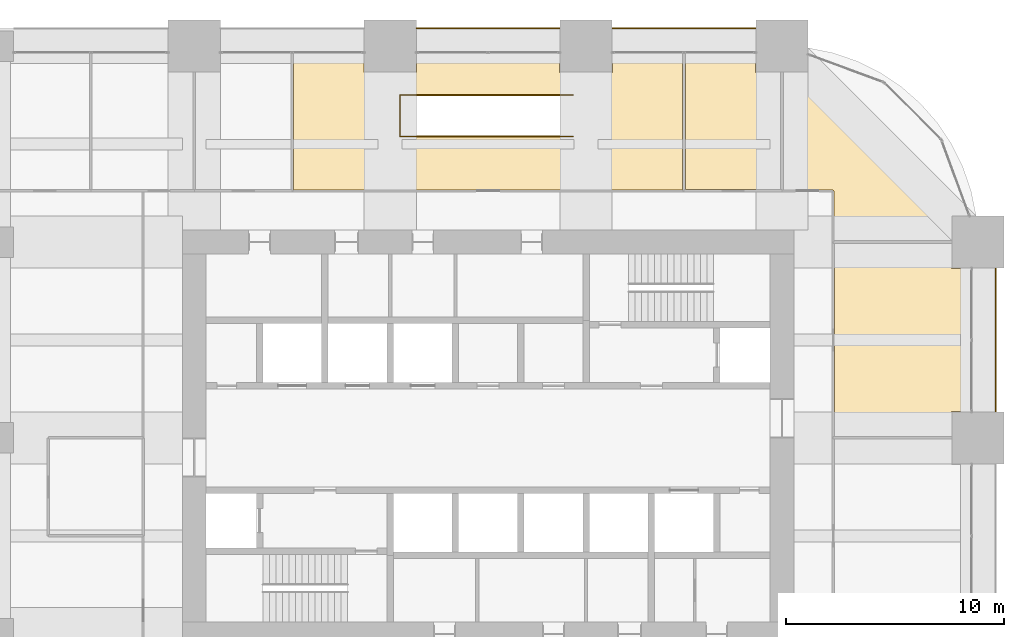
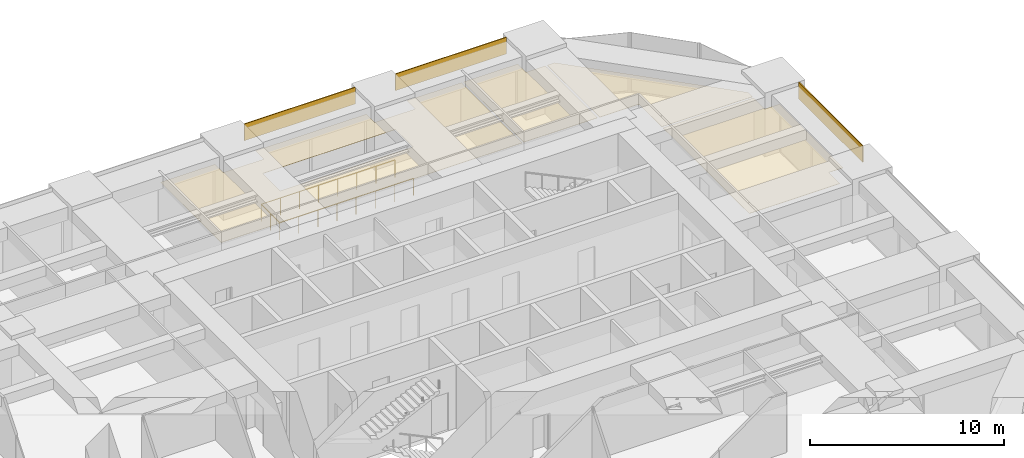
# One storey, part 35 of 35: 7 coverings, 1 railing.
"""IFC4 building model written with IfcOpenShell, lengths in metres."""

from ifc_helpers import new_model, si_unit, direction, frame, frame_2d, origin, origin_2d, place, context, subcontext, project, spatial, polyline, rectangle, circle, outline, extrude, material, layer, layer_set, type_object, element, save


model = new_model("IFC4")

# Units and contexts
model_context = context("Model", 3, precision=1e-05, world=origin(), true_north=direction((0.0, 1.0)))
body_context = subcontext(model_context, "Body", "Model", "MODEL_VIEW")
ifc_project = project(units=[si_unit("LENGTHUNIT", "METRE"), si_unit("AREAUNIT", "SQUARE_METRE"), si_unit("VOLUMEUNIT", "CUBIC_METRE"), si_unit("PLANEANGLEUNIT", "RADIAN"), si_unit("MASSUNIT", "GRAM", prefix="KILO")], contexts=[model_context])

# Site, building, storey
site_placement = place(None, origin())
site = spatial("IfcSite", under=ifc_project, at=site_placement, CompositionType="ELEMENT")
building_placement = place(site_placement, origin())
building = spatial("IfcBuilding", under=site, at=building_placement, Name="Zorevar Civic Tower", CompositionType="ELEMENT")
storey_placement = place(building_placement, frame((0.0, 0.0, 218.199951171875)))
storey = spatial("IfcBuildingStorey", under=building, at=storey_placement, Name="L53", CompositionType="ELEMENT", Elevation=218.199951171875)

# Railing
ifc_material_1 = material(Name="Laminated glass balustrade with black steel handrail", Category="steel")
railing_type = type_object("IfcRailingType", Name="Balustrade BL1 1100", PredefinedType="BALUSTRADE", material=ifc_material_1)
railing_placement = place(storey_placement, frame((35.39990234375, 40.85009765625, 0.0)))
element("IfcRailing", 1, at=railing_placement, inside=storey, type_object=railing_type, Name="Balustrade BL1 stair void L53", PredefinedType="BALUSTRADE", context=body_context, shape_type="SweptSolid", body=[
    extrude(circle(Radius=0.02392578125, at=origin_2d()), frame((0.0, 0.0, 1.076171875), z_axis=(-1.0, 0.0, 0.0), x_axis=(0.0, -1.0, 0.0)), (0.0, 0.0, 1.0), 7.949951171875),
    extrude(circle(Radius=0.02392578125, at=origin_2d()), frame((-7.949951171875, 0.0, 1.076171875), z_axis=(0.0, 1.0, 0.0), x_axis=(-1.0, 0.0, 0.0)), (0.0, 0.0, 1.0), 1.89990234375),
    extrude(circle(Radius=0.02392578125, at=origin_2d()), frame((-7.949951171875, 1.89990234375, 1.076171875), z_axis=(1.0, 0.0, 0.0), x_axis=(0.0, 1.0, 0.0)), (0.0, 0.0, 1.0), 7.949951171875),
    extrude(circle(Radius=0.02099609375, at=origin_2d()), origin(), (0.0, 0.0, 1.0), 1.052001953125),
    extrude(circle(Radius=0.02099609375, at=origin_2d()), frame((-1.1357421875, 0.0, 0.0)), (0.0, 0.0, 1.0), 1.052001953125),
    extrude(circle(Radius=0.02099609375, at=origin_2d()), frame((-2.271484375, 0.0, 0.0)), (0.0, 0.0, 1.0), 1.052001953125),
    extrude(circle(Radius=0.02099609375, at=origin_2d()), frame((-3.4072265625, 0.0, 0.0)), (0.0, 0.0, 1.0), 1.052001953125),
    extrude(circle(Radius=0.02099609375, at=origin_2d()), frame((-4.542724609375, 0.0, 0.0)), (0.0, 0.0, 1.0), 1.052001953125),
    extrude(circle(Radius=0.02099609375, at=origin_2d()), frame((-5.678466796875, 0.0, 0.0)), (0.0, 0.0, 1.0), 1.052001953125),
    extrude(circle(Radius=0.02099609375, at=origin_2d()), frame((-6.814208984375, 0.0, 0.0)), (0.0, 0.0, 1.0), 1.052001953125),
    extrude(circle(Radius=0.02099609375, at=origin_2d()), frame((-7.949951171875, 0.0, 0.0)), (0.0, 0.0, 1.0), 1.052001953125),
    extrude(circle(Radius=0.02099609375, at=origin_2d()), frame((-7.949951171875, 0.949951171875, 0.0)), (0.0, 0.0, 1.0), 1.052001953125),
    extrude(circle(Radius=0.02099609375, at=origin_2d()), frame((-7.949951171875, 1.89990234375, 0.0)), (0.0, 0.0, 1.0), 1.052001953125),
    extrude(circle(Radius=0.02099609375, at=origin_2d()), frame((-6.814208984375, 1.89990234375, 0.0)), (0.0, 0.0, 1.0), 1.052001953125),
    extrude(circle(Radius=0.02099609375, at=origin_2d()), frame((-5.678466796875, 1.89990234375, 0.0)), (0.0, 0.0, 1.0), 1.052001953125),
    extrude(circle(Radius=0.02099609375, at=origin_2d()), frame((-4.542724609375, 1.89990234375, 0.0)), (0.0, 0.0, 1.0), 1.052001953125),
    extrude(circle(Radius=0.02099609375, at=origin_2d()), frame((-3.4072265625, 1.89990234375, 0.0)), (0.0, 0.0, 1.0), 1.052001953125),
    extrude(circle(Radius=0.02099609375, at=origin_2d()), frame((-2.271484375, 1.89990234375, 0.0)), (0.0, 0.0, 1.0), 1.052001953125),
    extrude(circle(Radius=0.02099609375, at=origin_2d()), frame((-1.1357421875, 1.89990234375, 0.0)), (0.0, 0.0, 1.0), 1.052001953125),
    extrude(circle(Radius=0.02099609375, at=origin_2d()), frame((0.0, 1.89990234375, 0.0)), (0.0, 0.0, 1.0), 1.052001953125),
])

# Coverings
ifc_material_2 = material(Name="Black anodised aluminium spandrel panel", Category="aluminium")
ifc_layer_1 = layer(ifc_material_2, 0.050048828125)
ifc_layer_set_1 = layer_set([ifc_layer_1], Name="Spandrel cladding SP1")
covering_type_1 = type_object("IfcCoveringType", Name="Spandrel cladding SP1", PredefinedType="CLADDING", material=ifc_layer_set_1)
for number, where, z_axis, x_axis, name in (
    (2, (28.199951171875, 45.824951171875, 2.949951171875), (0.0, 0.0, 1.0), (1.0, 0.0, 0.0), "Spandrel cladding L54"),
    (3, (37.199951171875, 45.824951171875, 2.949951171875), (0.0, 0.0, 1.0), (1.0, 0.0, 0.0), "Spandrel cladding L54"),
    (4, (54.824951171875, 28.199951171875, 2.949951171875), (0.0, 0.0, 1.0), (0.0, 1.0, 0.0), "Spandrel cladding L54"),
):
    element("IfcCovering", number, at=place(storey_placement, frame(where, z_axis=z_axis, x_axis=x_axis)), inside=storey, type_object=covering_type_1, Name=name, PredefinedType="CLADDING", context=body_context, shape_type="SweptSolid", body=[
        extrude(rectangle(XDim=6.60009765625, YDim=0.050048828125, at=frame_2d((3.300048828125, 0.0))), origin(), (0.0, 0.0, 1.0), 1.050048828125),
    ])
ifc_material_3 = material(Name="Mineral fibre tiles on a concealed grid")
ifc_layer_2 = layer(ifc_material_3, 0.02001953125)
ifc_layer_set_2 = layer_set([ifc_layer_2], Name="Suspended ceiling SC1")
covering_type_2 = type_object("IfcCoveringType", Name="Suspended ceiling SC1", PredefinedType="CEILING", material=ifc_layer_set_2)
covering_1_placement = place(storey_placement, frame((0.0, 0.0, 3.0)))
element("IfcCovering", 5, at=covering_1_placement, inside=storey, type_object=covering_type_2, Name="Ceiling L53-28", PredefinedType="CEILING", context=body_context, shape_type="SweptSolid", body=[
    extrude(outline(polyline([(40.56005859375, 38.409912109375), (40.56005859375, 44.64990234375), (43.7900390625, 44.64990234375), (43.7900390625, 43.7900390625), (44.93994140625, 43.7900390625), (44.93994140625, 38.409912109375), (40.56005859375, 38.409912109375)])), origin(), (0.0, 0.0, 1.0), 0.02001953125),
])
covering_2_placement = place(storey_placement, frame((0.0, 0.0, 3.0)))
element("IfcCovering", 6, at=covering_2_placement, inside=storey, type_object=covering_type_2, Name="Ceiling L53-31", PredefinedType="CEILING", context=body_context, shape_type="SweptSolid", body=[
    extrude(outline(polyline([(53.64990234375, 28.2099609375), (52.7900390625, 28.2099609375), (52.7900390625, 27.06005859375), (47.409912109375, 27.06005859375), (47.409912109375, 35.93994140625), (52.7900390625, 35.93994140625), (52.7900390625, 34.7900390625), (53.64990234375, 34.7900390625), (53.64990234375, 28.2099609375)])), origin(), (0.0, 0.0, 1.0), 0.02001953125),
])
covering_3_placement = place(storey_placement, frame((0.0, 0.0, 3.0)))
element("IfcCovering", 7, at=covering_3_placement, inside=storey, type_object=covering_type_2, Name="Ceiling L53-42", PredefinedType="CEILING", context=body_context, shape_type="SweptSolid", body=[
    extrude(outline(polyline([(40.43994140625, 44.64990234375), (40.43994140625, 38.39990234375), (22.56005859375, 38.39990234375), (22.56005859375, 44.64990234375), (25.7900390625, 44.64990234375), (25.7900390625, 43.7900390625), (28.2099609375, 43.7900390625), (28.2099609375, 44.64990234375), (34.7900390625, 44.64990234375), (34.7900390625, 43.7900390625), (37.2099609375, 43.7900390625), (37.2099609375, 44.64990234375), (40.43994140625, 44.64990234375)]), holes=[polyline([(27.5, 42.699951171875), (27.5, 40.89990234375), (35.39990234375, 40.89990234375), (35.39990234375, 42.699951171875), (27.5, 42.699951171875)])]), origin(), (0.0, 0.0, 1.0), 0.02001953125),
])
covering_4_placement = place(storey_placement, frame((0.0, 0.0, 3.0)))
element("IfcCovering", 8, at=covering_4_placement, inside=storey, type_object=covering_type_2, Name="Ceiling L53-43", PredefinedType="CEILING", context=body_context, shape_type="SweptSolid", body=[
    extrude(outline(polyline([(47.3505859375, 38.40087890625), (45.06103515625, 38.40087890625), (45.06103515625, 43.7900390625), (45.5029296875, 43.7900390625), (52.7900390625, 36.5029296875), (52.7900390625, 36.06005859375), (47.39990234375, 36.06005859375), (47.40087890625, 38.35009765625), (47.35107421875, 38.35107421875), (47.3505859375, 38.40087890625)])), origin(), (0.0, 0.0, 1.0), 0.02001953125),
])

save(model, "model.ifc")
